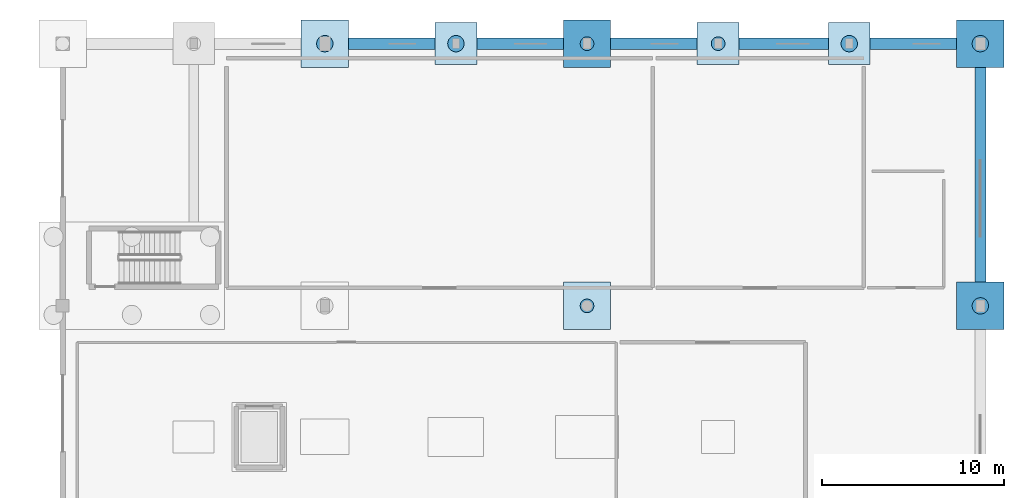
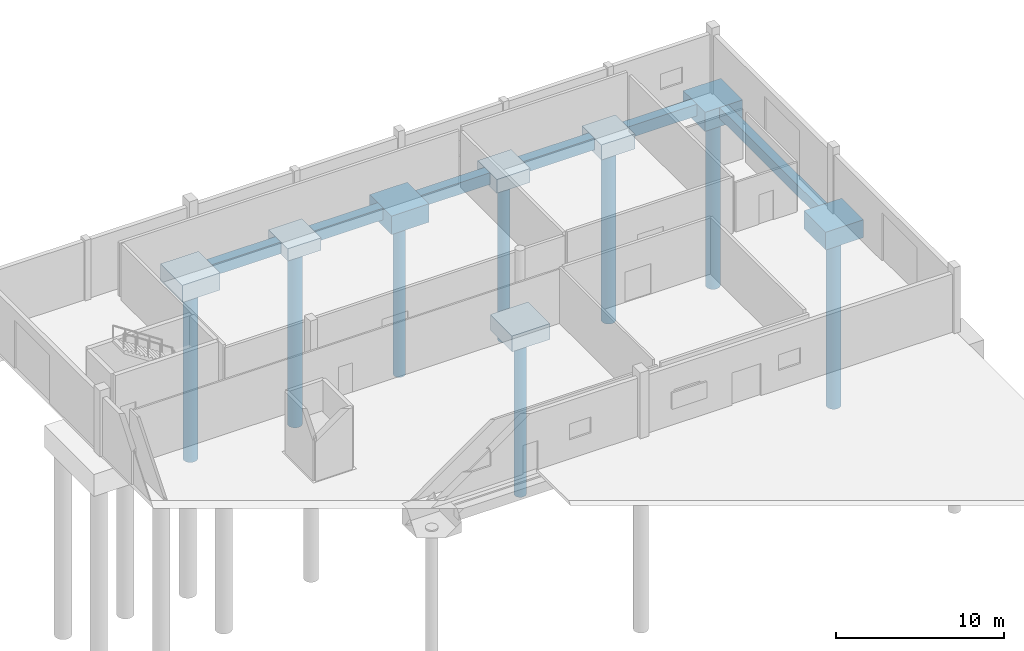
# One storey, part 11 of 285: 14 footings, 8 piles.
"""IFC4 building model written with IfcOpenShell, lengths in metres."""

from ifc_helpers import new_model, si_unit, direction, frame, origin, origin_2d, place, context, subcontext, project, spatial, polyline, circle, outline, extrude, material, material_profile, profile_set, type_object, element, save


model = new_model("IFC4")

# Units and contexts
model_context = context("Model", 3, precision=1e-05, world=origin(), true_north=direction((0.0, 1.0)))
body_context = subcontext(model_context, "Body", "Model", "MODEL_VIEW")
ifc_project = project(units=[si_unit("LENGTHUNIT", "METRE"), si_unit("AREAUNIT", "SQUARE_METRE"), si_unit("VOLUMEUNIT", "CUBIC_METRE"), si_unit("PLANEANGLEUNIT", "RADIAN"), si_unit("MASSUNIT", "GRAM", prefix="KILO")], contexts=[model_context])

# Site, building, storey
site_placement = place(None, origin())
site = spatial("IfcSite", under=ifc_project, at=site_placement, CompositionType="ELEMENT")
building_placement = place(site_placement, origin())
building = spatial("IfcBuilding", under=site, at=building_placement, Name="Solanera Park Tramway Depot", CompositionType="ELEMENT")
storey_placement = place(building_placement, origin())
storey = spatial("IfcBuildingStorey", under=building, at=storey_placement, Name="L00", CompositionType="ELEMENT", Elevation=0.0)

# Footings
ifc_material_1 = material(Name="Concrete N40 (C40/50)", Category="concrete")
footing_type_1 = type_object("IfcFootingType", Name="Bored Pile Cap PC-01 2300x2300x900", PredefinedType="PILE_CAP", material=ifc_material_1)
footing_1_placement = place(storey_placement, frame((0.0, 0.0, -1.27490234375)))
element("IfcFooting", 1, at=footing_1_placement, inside=storey, type_object=footing_type_1, Name="Pile Cap PC-01 #198", PredefinedType="PILE_CAP", context=body_context, shape_type="SweptSolid", body=[
    extrude(outline(polyline([(188.35009765625, 142.85009765625), (188.35009765625, 145.14990234375), (186.050048828125, 145.14990234375), (186.050048828125, 142.85009765625), (188.35009765625, 142.85009765625)])), origin(), (0.0, 0.0, 1.0), 0.89990234375),
])
ifc_material_2 = material(Name="Concrete N40 (C40/50)", Category="concrete")
footing_type_2 = type_object("IfcFootingType", Name="Bored Pile Cap PC-02 2600x2600x1000", PredefinedType="PILE_CAP", material=ifc_material_2)
footing_2_placement = place(storey_placement, frame((0.0, 0.0, -1.375)))
element("IfcFooting", 2, at=footing_2_placement, inside=storey, type_object=footing_type_2, Name="Pile Cap PC-02 #199", PredefinedType="PILE_CAP", context=body_context, shape_type="SweptSolid", body=[
    extrude(outline(polyline([(202.75, 142.85009765625), (202.75, 145.14990234375), (200.449951171875, 145.14990234375), (200.449951171875, 142.85009765625), (202.75, 142.85009765625)])), origin(), (0.0, 0.0, 1.0), 1.0),
])
ifc_material_3 = material(Name="Concrete N40 (C40/50)", Category="concrete")
footing_type_3 = type_object("IfcFootingType", Name="Bored Pile Cap PC-03 2900x2900x1100", PredefinedType="PILE_CAP", material=ifc_material_3)
footing_3_placement = place(storey_placement, frame((0.0, 0.0, -1.47509765625)))
element("IfcFooting", 3, at=footing_3_placement, inside=storey, type_object=footing_type_3, Name="Pile Cap PC-03 #200", PredefinedType="PILE_CAP", context=body_context, shape_type="SweptSolid", body=[
    extrude(outline(polyline([(209.949951171875, 142.85009765625), (209.949951171875, 145.14990234375), (207.64990234375, 145.14990234375), (207.64990234375, 142.85009765625), (209.949951171875, 142.85009765625)])), origin(), (0.0, 0.0, 1.0), 1.10009765625),
])
ifc_material_4 = material(Name="Concrete N40 (C40/50)", Category="concrete")
footing_type_4 = type_object("IfcFootingType", Name="Bored Pile Cap PC-07 4200x2900x1250", PredefinedType="PILE_CAP", material=ifc_material_4)
footing_4_placement = place(storey_placement, frame((0.0, 0.0, -1.625)))
element("IfcFooting", 4, at=footing_4_placement, inside=storey, type_object=footing_type_4, Name="Pile Cap PC-07 #186", PredefinedType="PILE_CAP", context=body_context, shape_type="SweptSolid", body=[
    extrude(outline(polyline([(181.300048828125, 142.699951171875), (181.300048828125, 145.300048828125), (178.699951171875, 145.300048828125), (178.699951171875, 142.699951171875), (181.300048828125, 142.699951171875)])), origin(), (0.0, 0.0, 1.0), 1.25),
])
ifc_material_5 = material(Name="Concrete N40 (C40/50)", Category="concrete")
footing_type_5 = type_object("IfcFootingType", Name="Bored Pile Cap PC-08 4600x3200x1350", PredefinedType="PILE_CAP", material=ifc_material_5)
footing_5_placement = place(storey_placement, frame((0.0, 0.0, -1.72509765625)))
element("IfcFooting", 5, at=footing_5_placement, inside=storey, type_object=footing_type_5, Name="Pile Cap PC-08 #187", PredefinedType="PILE_CAP", context=body_context, shape_type="SweptSolid", body=[
    extrude(outline(polyline([(195.699951171875, 142.699951171875), (195.699951171875, 145.300048828125), (193.10009765625, 145.300048828125), (193.10009765625, 142.699951171875), (195.699951171875, 142.699951171875)])), origin(), (0.0, 0.0, 1.0), 1.35009765625),
])
ifc_material_6 = material(Name="Concrete N40 (C40/50)", Category="concrete")
footing_type_6 = type_object("IfcFootingType", Name="Bored Pile Cap PC-09 5200x3400x1400", PredefinedType="PILE_CAP", material=ifc_material_6)
footing_6_placement = place(storey_placement, frame((0.0, 0.0, -1.77490234375)))
element("IfcFooting", 6, at=footing_6_placement, inside=storey, type_object=footing_type_6, Name="Pile Cap PC-09 #188", PredefinedType="PILE_CAP", context=body_context, shape_type="SweptSolid", body=[
    extrude(outline(polyline([(217.300048828125, 142.699951171875), (217.300048828125, 145.300048828125), (214.699951171875, 145.300048828125), (214.699951171875, 142.699951171875), (217.300048828125, 142.699951171875)])), origin(), (0.0, 0.0, 1.0), 1.39990234375),
])
ifc_material_7 = material(Name="Concrete N40 (C40/50)", Category="concrete")
footing_type_7 = type_object("IfcFootingType", Name="Bored Pile Cap PC-16 3050x3050x1150", PredefinedType="PILE_CAP", material=ifc_material_7)
footing_7_placement = place(storey_placement, frame((0.0, 0.0, -1.52490234375)))
element("IfcFooting", 7, at=footing_7_placement, inside=storey, type_object=footing_type_7, Name="Pile Cap PC-16 #177", PredefinedType="PILE_CAP", context=body_context, shape_type="SweptSolid", body=[
    extrude(outline(polyline([(195.699951171875, 128.300048828125), (195.699951171875, 130.89990234375), (193.10009765625, 130.89990234375), (193.10009765625, 128.300048828125), (195.699951171875, 128.300048828125)])), origin(), (0.0, 0.0, 1.0), 1.14990234375),
])
ifc_material_8 = material(Name="Concrete N40 (C40/50)", Category="concrete")
footing_type_8 = type_object("IfcFootingType", Name="Bored Pile Cap PC-17 4900x3100x1300", PredefinedType="PILE_CAP", material=ifc_material_8)
footing_8_placement = place(storey_placement, frame((0.0, 0.0, -1.675048828125)))
element("IfcFooting", 8, at=footing_8_placement, inside=storey, type_object=footing_type_8, Name="Pile Cap PC-17 #178", PredefinedType="PILE_CAP", context=body_context, shape_type="SweptSolid", body=[
    extrude(outline(polyline([(217.300048828125, 128.300048828125), (217.300048828125, 130.89990234375), (214.699951171875, 130.89990234375), (214.699951171875, 128.300048828125), (217.300048828125, 128.300048828125)])), origin(), (0.0, 0.0, 1.0), 1.300048828125),
])
ifc_material_9 = material(Name="Concrete N40 (C40/50)", Category="concrete")
footing_type_9 = type_object("IfcFootingType", Name="Ground Tie Beam GB-03 600x800", PredefinedType="FOOTING_BEAM", material=ifc_material_9)
footing_9_placement = place(storey_placement, frame((0.0, 0.0, -1.175048828125)))
element("IfcFooting", 9, at=footing_9_placement, inside=storey, type_object=footing_type_9, Name="Ground Tie Beam GB-03 #154", PredefinedType="FOOTING_BEAM", context=body_context, shape_type="SweptSolid", body=[
    extrude(outline(polyline([(216.300048828125, 130.89990234375), (216.300048828125, 142.699951171875), (215.699951171875, 142.699951171875), (215.699951171875, 130.89990234375), (216.300048828125, 130.89990234375)])), origin(), (0.0, 0.0, 1.0), 0.800048828125),
])
ifc_material_10 = material(Name="Concrete N40 (C40/50)", Category="concrete")
footing_type_10 = type_object("IfcFootingType", Name="Ground Tie Beam GB-04 650x850", PredefinedType="FOOTING_BEAM", material=ifc_material_10)
footing_10_placement = place(storey_placement, frame((0.0, 0.0, -1.22509765625)))
element("IfcFooting", 10, at=footing_10_placement, inside=storey, type_object=footing_type_10, Name="Ground Tie Beam GB-04 #101", PredefinedType="FOOTING_BEAM", context=body_context, shape_type="SweptSolid", body=[
    extrude(outline(polyline([(186.050048828125, 143.675048828125), (186.050048828125, 144.324951171875), (181.300048828125, 144.324951171875), (181.300048828125, 143.675048828125), (186.050048828125, 143.675048828125)])), origin(), (0.0, 0.0, 1.0), 0.85009765625),
])
footing_11_placement = place(storey_placement, frame((0.0, 0.0, -1.22509765625)))
element("IfcFooting", 11, at=footing_11_placement, inside=storey, type_object=footing_type_10, Name="Ground Tie Beam GB-04 #102", PredefinedType="FOOTING_BEAM", context=body_context, shape_type="SweptSolid", body=[
    extrude(outline(polyline([(193.10009765625, 143.675048828125), (193.10009765625, 144.324951171875), (188.35009765625, 144.324951171875), (188.35009765625, 143.675048828125), (193.10009765625, 143.675048828125)])), origin(), (0.0, 0.0, 1.0), 0.85009765625),
])
footing_12_placement = place(storey_placement, frame((0.0, 0.0, -1.22509765625)))
element("IfcFooting", 12, at=footing_12_placement, inside=storey, type_object=footing_type_10, Name="Ground Tie Beam GB-04 #103", PredefinedType="FOOTING_BEAM", context=body_context, shape_type="SweptSolid", body=[
    extrude(outline(polyline([(200.449951171875, 143.675048828125), (200.449951171875, 144.324951171875), (195.699951171875, 144.324951171875), (195.699951171875, 143.675048828125), (200.449951171875, 143.675048828125)])), origin(), (0.0, 0.0, 1.0), 0.85009765625),
])
footing_13_placement = place(storey_placement, frame((0.0, 0.0, -1.22509765625)))
element("IfcFooting", 13, at=footing_13_placement, inside=storey, type_object=footing_type_10, Name="Ground Tie Beam GB-04 #104", PredefinedType="FOOTING_BEAM", context=body_context, shape_type="SweptSolid", body=[
    extrude(outline(polyline([(207.64990234375, 143.675048828125), (207.64990234375, 144.324951171875), (202.75, 144.324951171875), (202.75, 143.675048828125), (207.64990234375, 143.675048828125)])), origin(), (0.0, 0.0, 1.0), 0.85009765625),
])
footing_14_placement = place(storey_placement, frame((0.0, 0.0, -1.22509765625)))
element("IfcFooting", 14, at=footing_14_placement, inside=storey, type_object=footing_type_10, Name="Ground Tie Beam GB-04 #105", PredefinedType="FOOTING_BEAM", context=body_context, shape_type="SweptSolid", body=[
    extrude(outline(polyline([(214.699951171875, 143.675048828125), (214.699951171875, 144.324951171875), (209.949951171875, 144.324951171875), (209.949951171875, 143.675048828125), (214.699951171875, 143.675048828125)])), origin(), (0.0, 0.0, 1.0), 0.85009765625),
])

# Piles
ifc_material_11 = material(Name="Concrete N40 (C40/50)", Category="concrete")
ifc_material_profile_1 = material_profile(ifc_material_11, circle(Radius=0.375, at=origin_2d()), Name="BORED PILE 750")
ifc_profile_set_1 = profile_set([ifc_material_profile_1], Name="Concrete N40 (C40/50)")
pile_type_1 = type_object("IfcPileType", Name="Rock Socketed BORED PILE 750", PredefinedType="BORED", material=ifc_profile_set_1)
pile_1_placement = place(storey_placement, frame((194.39990234375, 129.60009765625, -1.425048828125), z_axis=(0.0, 0.0, -1.0), x_axis=(1.0, 0.0, 0.0)))
element("IfcPile", 15, at=pile_1_placement, inside=storey, type_object=pile_type_1, Name="Bored Pile BORED PILE 750 #0226", PredefinedType="BORED", context=body_context, shape_type="SweptSolid", body=[
    extrude(circle(Radius=0.375, at=origin_2d()), origin(), (0.0, 0.0, 1.0), 11.675048828125),
])
pile_2_placement = place(storey_placement, frame((194.39990234375, 144.0, -1.625), z_axis=(0.0, 0.0, -1.0), x_axis=(1.0, 0.0, 0.0)))
element("IfcPile", 16, at=pile_2_placement, inside=storey, type_object=pile_type_1, Name="Bored Pile BORED PILE 750 #0236", PredefinedType="BORED", context=body_context, shape_type="SweptSolid", body=[
    extrude(circle(Radius=0.375, at=origin_2d()), origin(), (0.0, 0.0, 1.0), 11.47509765625),
])
pile_3_placement = place(storey_placement, frame((201.60009765625, 144.0, -1.27490234375), z_axis=(0.0, 0.0, -1.0), x_axis=(1.0, 0.0, 0.0)))
element("IfcPile", 17, at=pile_3_placement, inside=storey, type_object=pile_type_1, Name="Bored Pile BORED PILE 750 #0248", PredefinedType="BORED", context=body_context, shape_type="SweptSolid", body=[
    extrude(circle(Radius=0.375, at=origin_2d()), origin(), (0.0, 0.0, 1.0), 11.824951171875),
])
ifc_material_12 = material(Name="Concrete N40 (C40/50)", Category="concrete")
ifc_material_profile_2 = material_profile(ifc_material_12, circle(Radius=0.449951171875, at=origin_2d()), Name="BORED PILE 900")
ifc_profile_set_2 = profile_set([ifc_material_profile_2], Name="Concrete N40 (C40/50)")
pile_type_2 = type_object("IfcPileType", Name="Rock Socketed BORED PILE 900", PredefinedType="BORED", material=ifc_profile_set_2)
pile_4_placement = place(storey_placement, frame((216.0, 129.60009765625, -1.574951171875), z_axis=(0.0, 0.0, -1.0), x_axis=(1.0, 0.0, 0.0)))
element("IfcPile", 18, at=pile_4_placement, inside=storey, type_object=pile_type_2, Name="Bored Pile BORED PILE 900 #0227", PredefinedType="BORED", context=body_context, shape_type="SweptSolid", body=[
    extrude(circle(Radius=0.449951171875, at=origin_2d()), origin(), (0.0, 0.0, 1.0), 12.625),
])
pile_5_placement = place(storey_placement, frame((180.0, 144.0, -1.52490234375), z_axis=(0.0, 0.0, -1.0), x_axis=(1.0, 0.0, 0.0)))
element("IfcPile", 19, at=pile_5_placement, inside=storey, type_object=pile_type_2, Name="Bored Pile BORED PILE 900 #0235", PredefinedType="BORED", context=body_context, shape_type="SweptSolid", body=[
    extrude(circle(Radius=0.449951171875, at=origin_2d()), origin(), (0.0, 0.0, 1.0), 12.675048828125),
])
pile_6_placement = place(storey_placement, frame((216.0, 144.0, -1.675048828125), z_axis=(0.0, 0.0, -1.0), x_axis=(1.0, 0.0, 0.0)))
element("IfcPile", 20, at=pile_6_placement, inside=storey, type_object=pile_type_2, Name="Bored Pile BORED PILE 900 #0237", PredefinedType="BORED", context=body_context, shape_type="SweptSolid", body=[
    extrude(circle(Radius=0.449951171875, at=origin_2d()), origin(), (0.0, 0.0, 1.0), 12.52490234375),
])
pile_7_placement = place(storey_placement, frame((187.199951171875, 144.0, -1.175048828125), z_axis=(0.0, 0.0, -1.0), x_axis=(1.0, 0.0, 0.0)))
element("IfcPile", 21, at=pile_7_placement, inside=storey, type_object=pile_type_2, Name="Bored Pile BORED PILE 900 #0247", PredefinedType="BORED", context=body_context, shape_type="SweptSolid", body=[
    extrude(circle(Radius=0.449951171875, at=origin_2d()), origin(), (0.0, 0.0, 1.0), 13.02490234375),
])
pile_8_placement = place(storey_placement, frame((208.800048828125, 144.0, -1.375), z_axis=(0.0, 0.0, -1.0), x_axis=(1.0, 0.0, 0.0)))
element("IfcPile", 22, at=pile_8_placement, inside=storey, type_object=pile_type_2, Name="Bored Pile BORED PILE 900 #0249", PredefinedType="BORED", context=body_context, shape_type="SweptSolid", body=[
    extrude(circle(Radius=0.449951171875, at=origin_2d()), origin(), (0.0, 0.0, 1.0), 12.824951171875),
])

save(model, "model.ifc")
